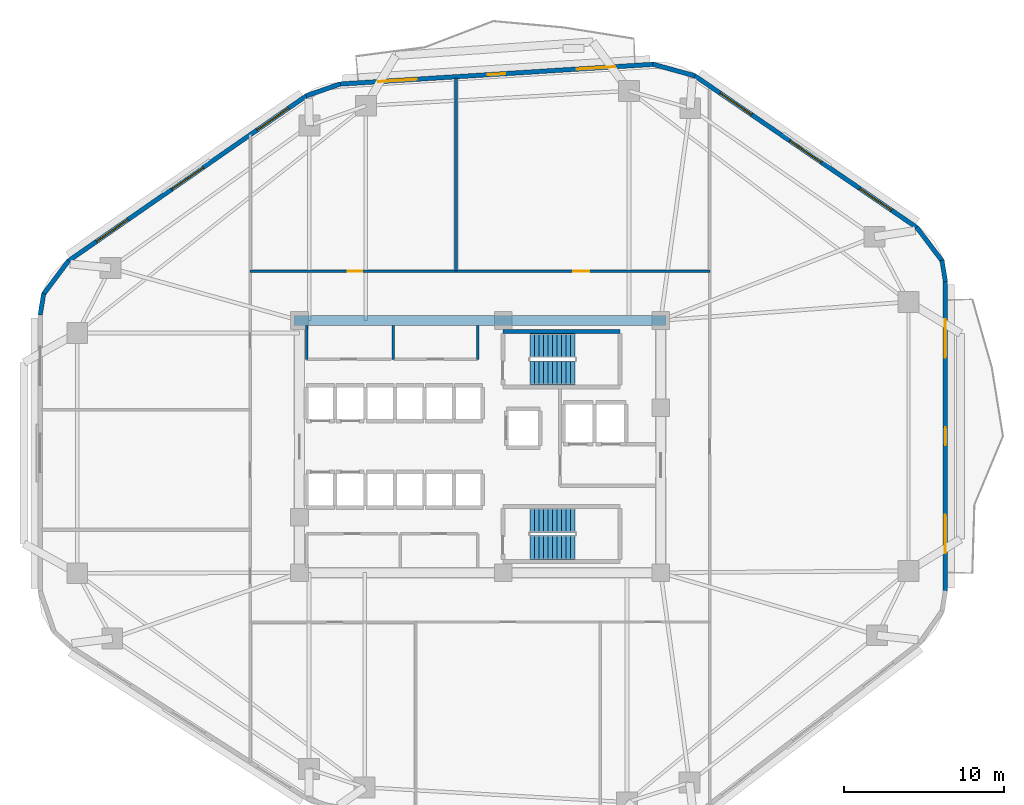
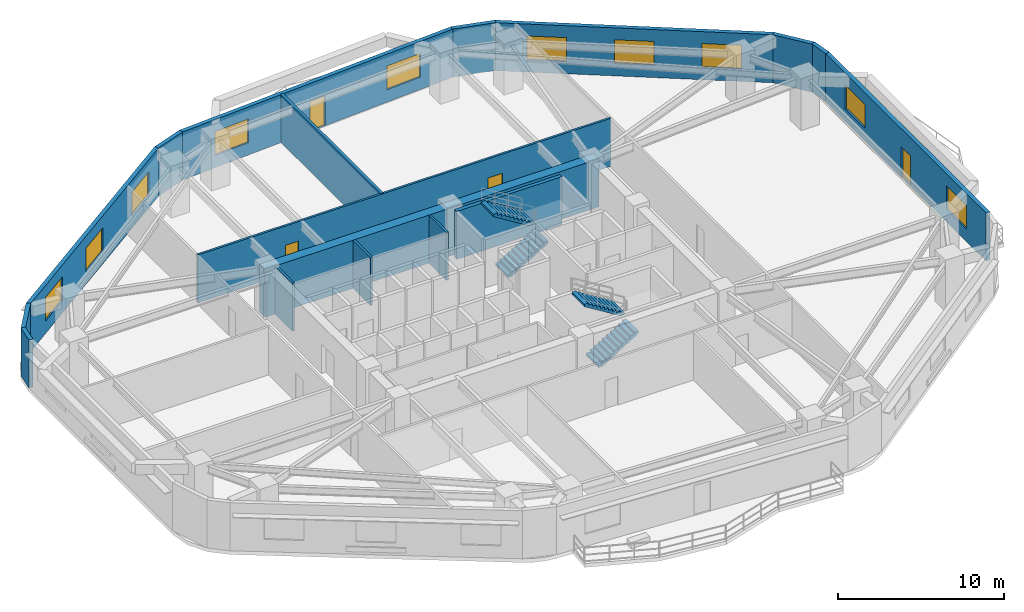
# One storey, part 5 of 8: 17 walls, 10 windows, 4 doors, 4 stair flights, 14 openings, 2 elements without a shape of their own.
"""IFC4 building model written with IfcOpenShell, lengths in metres."""

from ifc_helpers import new_model, si_unit, direction, frame, frame_2d, origin, place, context, subcontext, project, spatial, polyline, rectangle, outline, extrude, material, layer, layer_set, type_object, element, fill, aggregate, save


model = new_model("IFC4")

# Units and contexts
model_context = context("Model", 3, precision=1e-05, world=origin(), true_north=direction((0.0, 1.0)))
body_context = subcontext(model_context, "Body", "Model", "MODEL_VIEW")
ifc_project = project(units=[si_unit("LENGTHUNIT", "METRE"), si_unit("AREAUNIT", "SQUARE_METRE"), si_unit("VOLUMEUNIT", "CUBIC_METRE"), si_unit("PLANEANGLEUNIT", "RADIAN"), si_unit("MASSUNIT", "GRAM", prefix="KILO")], contexts=[model_context])

# Site, building, storey
site_placement = place(None, origin())
site = spatial("IfcSite", under=ifc_project, at=site_placement, CompositionType="ELEMENT")
building_placement = place(site_placement, origin())
building = spatial("IfcBuilding", under=site, at=building_placement, Name="Zulverin Broadcast Headquarters", CompositionType="ELEMENT")
storey_placement = place(building_placement, frame((0.0, 0.0, 44.0)))
storey = spatial("IfcBuildingStorey", under=building, at=storey_placement, Name="L10", CompositionType="ELEMENT", Elevation=44.0)

# Walls
ifc_material_1 = material(Name="Acoustic drywall steel stud", Category="steel")
ifc_layer_1 = layer(ifc_material_1, 0.199951171875, Name="Acoustic drywall steel stud", Category="steel")
ifc_layer_set_1 = layer_set([ifc_layer_1], Name="Acoustic drywall steel stud")
wall_type_1 = type_object("IfcWallType", Name="WL-ACOU-200", PredefinedType="PARTITIONING", material=ifc_layer_set_1)
wall_1_placement = place(storey_placement, frame((35.5, 36.14990234375, 0.0), z_axis=(0.0, 0.0, 1.0), x_axis=(0.0, 1.0, 0.0)))
element("IfcWall", 1, at=wall_1_placement, inside=storey, type_object=wall_type_1, Name="L10 Room Partition Wall RP-03", PredefinedType="PARTITIONING", context=body_context, shape_type="SweptSolid", body=[
    extrude(rectangle(XDim=12.0771484375, YDim=0.199951171875, at=frame_2d((6.03857421875, 0.0))), origin(), (0.0, 0.0, 1.0), 3.52490234375),
])
ifc_material_2 = material(Name="Concrete C60/75", Category="concrete")
ifc_layer_2 = layer(ifc_material_2, 0.64990234375, Name="Concrete C60/75", Category="concrete")
ifc_layer_set_2 = layer_set([ifc_layer_2], Name="Concrete C60/75")
wall_type_2 = type_object("IfcWallType", Name="WL-CORE-650", PredefinedType="SHEAR", material=ifc_layer_set_2)
wall_2_placement = place(storey_placement, frame((25.39990234375, 33.074951171875, 0.0), z_axis=(0.0, 0.0, 1.0), x_axis=(1.0, 0.0, 0.0)))
element("IfcWall", 2, at=wall_2_placement, inside=storey, type_object=wall_type_2, Name="L10 Core North Shear Wall", PredefinedType="SHEAR", context=body_context, shape_type="SweptSolid", body=[
    extrude(rectangle(XDim=23.2001953125, YDim=0.64990234375, at=frame_2d((11.60009765625, 0.0))), origin(), (0.0, 0.0, 1.0), 3.52490234375),
])

# Wall, openings, door, windows
ifc_material_3 = material(Name="Insulated pale-metal clad concrete spandrel C40/50", Category="concrete")
ifc_layer_3 = layer(ifc_material_3, 0.280029296875, Name="Insulated pale-metal clad concrete spandrel C40/50", Category="concrete")
ifc_layer_set_3 = layer_set([ifc_layer_3], Name="Insulated pale-metal clad concrete spandrel C40/50")
wall_type_3 = type_object("IfcWallType", Name="WL-EXT-280", PredefinedType="STANDARD", material=ifc_layer_set_3)
wall_3_placement = place(storey_placement, frame((66.06005859375, 16.183349609375, 0.0), z_axis=(0.0, 0.0, 1.0), x_axis=(0.0, 1.0, 0.0)))
wall_3 = element("IfcWall", 3, at=wall_3_placement, inside=storey, type_object=wall_type_3, Name="L10 Pale-Metal Clad Spandrel Wall 3", PredefinedType="STANDARD", context=body_context, shape_type="SweptSolid", body=[
    extrude(rectangle(XDim=19.3310546875, YDim=0.280029296875, at=frame_2d((9.66552734375, 0.0))), origin(), (0.0, 0.0, 1.0), 3.52490234375),
])
opening_1_placement = place(wall_3_placement, frame((9.115478515625, 0.0, 0.0)))
opening_1 = element("IfcOpeningElement", 4, at=opening_1_placement, cuts=wall_3, Name="Opening D-L10-TR3", PredefinedType="OPENING", context=body_context, shape_type="SweptSolid", body=[
    extrude(rectangle(XDim=1.10009765625, YDim=2.199951171875, at=frame_2d((0.550048828125, 1.10009765625))), frame((0.0, 0.14990234375, 0.0), z_axis=(0.0, -1.0, 0.0), x_axis=(1.0, 0.0, 0.0)), (0.0, 0.0, 1.0), 0.300048828125),
])
opening_2_placement = place(wall_3_placement, frame((2.355224609375, 0.0, 0.89990234375)))
opening_2 = element("IfcOpeningElement", 5, at=opening_2_placement, cuts=wall_3, Name="Opening W-L10-E31", PredefinedType="OPENING", context=body_context, shape_type="SweptSolid", body=[
    extrude(rectangle(XDim=2.39990234375, YDim=1.75, at=frame_2d((1.199951171875, 0.875))), frame((0.0, 0.14990234375, 0.0), z_axis=(0.0, -1.0, 0.0), x_axis=(1.0, 0.0, 0.0)), (0.0, 0.0, 1.0), 0.300048828125),
])
opening_3_placement = place(wall_3_placement, frame((14.575927734375, 0.0, 0.89990234375)))
opening_3 = element("IfcOpeningElement", 6, at=opening_3_placement, cuts=wall_3, Name="Opening W-L10-E32", PredefinedType="OPENING", context=body_context, shape_type="SweptSolid", body=[
    extrude(rectangle(XDim=2.39990234375, YDim=1.75, at=frame_2d((1.199951171875, 0.875))), frame((0.0, 0.14990234375, 0.0), z_axis=(0.0, -1.0, 0.0), x_axis=(1.0, 0.0, 0.0)), (0.0, 0.0, 1.0), 0.300048828125),
])
ifc_material_4 = material(Name="Thermally broken aluminium glazed", Category="aluminium")
door_type_1 = type_object("IfcDoorType", Name="DR-TERR-1100", OperationType="SINGLE_SWING_RIGHT", PredefinedType="DOOR", material=ifc_material_4)
door_1_placement = place(opening_1_placement, origin())
door_1 = element("IfcDoor", 7, at=door_1_placement, inside=storey, type_object=door_type_1, Name="L10 Planted Terrace Glazed Access Door 3", OperationType="SINGLE_SWING_RIGHT", OverallHeight=2.199951171875, OverallWidth=1.10009765625, PredefinedType="DOOR", context=body_context, shape_type="SweptSolid", body=[
    extrude(rectangle(XDim=1.10009765625, YDim=2.199951171875, at=frame_2d((0.550048828125, 1.10009765625))), frame((0.0, 0.02490234375, 0.0), z_axis=(0.0, -1.0, 0.0), x_axis=(1.0, 0.0, 0.0)), (0.0, 0.0, 1.0), 0.050048828125),
])
fill(opening_1, door_1)
ifc_material_5 = material(Name="Pale anodized aluminium frame with solar-control low-E double glazing", Category="aluminium")
window_type = type_object("IfcWindowType", Name="WIN-RIB-2400", PartitioningType="SINGLE_PANEL", PredefinedType="WINDOW", material=ifc_material_5)
window_1_placement = place(opening_2_placement, origin())
window_1 = element("IfcWindow", 8, at=window_1_placement, inside=storey, type_object=window_type, Name="L10 Ribbon Glazing Window 3 1", OverallHeight=1.75, OverallWidth=2.39990234375, PartitioningType="SINGLE_PANEL", PredefinedType="WINDOW", context=body_context, shape_type="SweptSolid", body=[
    extrude(rectangle(XDim=2.39990234375, YDim=1.75, at=frame_2d((1.199951171875, 0.875))), frame((0.0, 0.030029296875, 0.0), z_axis=(0.0, -1.0, 0.0), x_axis=(1.0, 0.0, 0.0)), (0.0, 0.0, 1.0), 0.06005859375),
])
fill(opening_2, window_1)
window_2_placement = place(opening_3_placement, origin())
window_2 = element("IfcWindow", 9, at=window_2_placement, inside=storey, type_object=window_type, Name="L10 Ribbon Glazing Window 3 2", OverallHeight=1.75, OverallWidth=2.39990234375, PartitioningType="SINGLE_PANEL", PredefinedType="WINDOW", context=body_context, shape_type="SweptSolid", body=[
    extrude(rectangle(XDim=2.39990234375, YDim=1.75, at=frame_2d((1.199951171875, 0.875))), frame((0.0, 0.030029296875, 0.0), z_axis=(0.0, -1.0, 0.0), x_axis=(1.0, 0.0, 0.0)), (0.0, 0.0, 1.0), 0.06005859375),
])
fill(opening_3, window_2)

# Wall, openings, windows
wall_4_placement = place(storey_placement, frame((64.289794921875, 38.8671875, 0.0), z_axis=(0.0, 0.0, 1.0), x_axis=(-0.825755550159, 0.564028165416, 0.0)))
wall_4 = element("IfcWall", 10, at=wall_4_placement, inside=storey, type_object=wall_type_3, Name="L10 Pale-Metal Clad Spandrel Wall 4", PredefinedType="STANDARD", context=body_context, shape_type="SweptSolid", body=[
    extrude(rectangle(XDim=16.848388671875, YDim=0.280029296875, at=frame_2d((8.42431640625, 0.0))), origin(), (0.0, 0.0, 1.0), 3.52490234375),
])
opening_4_placement = place(wall_4_placement, frame((1.94140625, 0.0, 0.89990234375)))
opening_4 = element("IfcOpeningElement", 11, at=opening_4_placement, cuts=wall_4, Name="Opening W-L10-E41", PredefinedType="OPENING", context=body_context, shape_type="SweptSolid", body=[
    extrude(rectangle(XDim=2.39990234375, YDim=1.75, at=frame_2d((1.199951171875, 0.875))), frame((0.0, 0.14990234375, 0.0), z_axis=(0.0, -1.0, 0.0), x_axis=(1.0, 0.0, 0.0)), (0.0, 0.0, 1.0), 0.300048828125),
])
opening_5_placement = place(wall_4_placement, frame((7.22412109375, 0.0, 0.89990234375)))
opening_5 = element("IfcOpeningElement", 12, at=opening_5_placement, cuts=wall_4, Name="Opening W-L10-E42", PredefinedType="OPENING", context=body_context, shape_type="SweptSolid", body=[
    extrude(rectangle(XDim=2.39990234375, YDim=1.75, at=frame_2d((1.199951171875, 0.875))), frame((0.0, 0.14990234375, 0.0), z_axis=(0.0, -1.0, 0.0), x_axis=(1.0, 0.0, 0.0)), (0.0, 0.0, 1.0), 0.300048828125),
])
opening_6_placement = place(wall_4_placement, frame((12.5068359375, 0.0, 0.89990234375)))
opening_6 = element("IfcOpeningElement", 13, at=opening_6_placement, cuts=wall_4, Name="Opening W-L10-E43", PredefinedType="OPENING", context=body_context, shape_type="SweptSolid", body=[
    extrude(rectangle(XDim=2.39990234375, YDim=1.75, at=frame_2d((1.199951171875, 0.875))), frame((0.0, 0.14990234375, 0.0), z_axis=(0.0, -1.0, 0.0), x_axis=(1.0, 0.0, 0.0)), (0.0, 0.0, 1.0), 0.300048828125),
])
window_3_placement = place(opening_4_placement, origin())
window_3 = element("IfcWindow", 14, at=window_3_placement, inside=storey, type_object=window_type, Name="L10 Ribbon Glazing Window 4 1", OverallHeight=1.75, OverallWidth=2.39990234375, PartitioningType="SINGLE_PANEL", PredefinedType="WINDOW", context=body_context, shape_type="SweptSolid", body=[
    extrude(rectangle(XDim=2.39990234375, YDim=1.75, at=frame_2d((1.199951171875, 0.875))), frame((0.0, 0.030029296875, 0.0), z_axis=(0.0, -1.0, 0.0), x_axis=(1.0, 0.0, 0.0)), (0.0, 0.0, 1.0), 0.06005859375),
])
fill(opening_4, window_3)
window_4_placement = place(opening_5_placement, origin())
window_4 = element("IfcWindow", 15, at=window_4_placement, inside=storey, type_object=window_type, Name="L10 Ribbon Glazing Window 4 2", OverallHeight=1.75, OverallWidth=2.39990234375, PartitioningType="SINGLE_PANEL", PredefinedType="WINDOW", context=body_context, shape_type="SweptSolid", body=[
    extrude(rectangle(XDim=2.39990234375, YDim=1.75, at=frame_2d((1.199951171875, 0.875))), frame((0.0, 0.030029296875, 0.0), z_axis=(0.0, -1.0, 0.0), x_axis=(1.0, 0.0, 0.0)), (0.0, 0.0, 1.0), 0.06005859375),
])
fill(opening_5, window_4)
window_5_placement = place(opening_6_placement, origin())
window_5 = element("IfcWindow", 16, at=window_5_placement, inside=storey, type_object=window_type, Name="L10 Ribbon Glazing Window 4 3", OverallHeight=1.75, OverallWidth=2.39990234375, PartitioningType="SINGLE_PANEL", PredefinedType="WINDOW", context=body_context, shape_type="SweptSolid", body=[
    extrude(rectangle(XDim=2.39990234375, YDim=1.75, at=frame_2d((1.199951171875, 0.875))), frame((0.0, 0.030029296875, 0.0), z_axis=(0.0, -1.0, 0.0), x_axis=(1.0, 0.0, 0.0)), (0.0, 0.0, 1.0), 0.06005859375),
])
fill(opening_6, window_5)

# Wall, openings, door, windows
wall_5_placement = place(storey_placement, frame((47.831787109375, 49.0693359375, 0.0), z_axis=(0.0, 0.0, 1.0), x_axis=(-0.998017725054, -0.062933460723, 0.0)))
wall_5 = element("IfcWall", 17, at=wall_5_placement, inside=storey, type_object=wall_type_3, Name="L10 Pale-Metal Clad Spandrel Wall 5", PredefinedType="STANDARD", context=body_context, shape_type="SweptSolid", body=[
    extrude(rectangle(XDim=19.62939453125, YDim=0.280029296875, at=frame_2d((9.814697265625, 0.0))), origin(), (0.0, 0.0, 1.0), 3.52490234375),
])
opening_7_placement = place(wall_5_placement, frame((9.264892578125, 0.0, 0.0)))
opening_7 = element("IfcOpeningElement", 18, at=opening_7_placement, cuts=wall_5, Name="Opening D-L10-TR5", PredefinedType="OPENING", context=body_context, shape_type="SweptSolid", body=[
    extrude(rectangle(XDim=1.10009765625, YDim=2.199951171875, at=frame_2d((0.550048828125, 1.10009765625))), frame((0.0, 0.14990234375, 0.0), z_axis=(0.0, -1.0, 0.0), x_axis=(1.0, 0.0, 0.0)), (0.0, 0.0, 1.0), 0.300048828125),
])
opening_8_placement = place(wall_5_placement, frame((2.40478515625, 0.0, 0.89990234375)))
opening_8 = element("IfcOpeningElement", 19, at=opening_8_placement, cuts=wall_5, Name="Opening W-L10-E51", PredefinedType="OPENING", context=body_context, shape_type="SweptSolid", body=[
    extrude(rectangle(XDim=2.39990234375, YDim=1.75, at=frame_2d((1.199951171875, 0.875))), frame((0.0, 0.14990234375, 0.0), z_axis=(0.0, -1.0, 0.0), x_axis=(1.0, 0.0, 0.0)), (0.0, 0.0, 1.0), 0.300048828125),
])
opening_9_placement = place(wall_5_placement, frame((14.82470703125, 0.0, 0.89990234375)))
opening_9 = element("IfcOpeningElement", 20, at=opening_9_placement, cuts=wall_5, Name="Opening W-L10-E52", PredefinedType="OPENING", context=body_context, shape_type="SweptSolid", body=[
    extrude(rectangle(XDim=2.39990234375, YDim=1.75, at=frame_2d((1.199951171875, 0.875))), frame((0.0, 0.14990234375, 0.0), z_axis=(0.0, -1.0, 0.0), x_axis=(1.0, 0.0, 0.0)), (0.0, 0.0, 1.0), 0.300048828125),
])
door_2_placement = place(opening_7_placement, origin())
door_2 = element("IfcDoor", 21, at=door_2_placement, inside=storey, type_object=door_type_1, Name="L10 Planted Terrace Glazed Access Door 5", OperationType="SINGLE_SWING_RIGHT", OverallHeight=2.199951171875, OverallWidth=1.10009765625, PredefinedType="DOOR", context=body_context, shape_type="SweptSolid", body=[
    extrude(rectangle(XDim=1.10009765625, YDim=2.199951171875, at=frame_2d((0.550048828125, 1.10009765625))), frame((0.0, 0.02490234375, 0.0), z_axis=(0.0, -1.0, 0.0), x_axis=(1.0, 0.0, 0.0)), (0.0, 0.0, 1.0), 0.050048828125),
])
fill(opening_7, door_2)
window_6_placement = place(opening_8_placement, origin())
window_6 = element("IfcWindow", 22, at=window_6_placement, inside=storey, type_object=window_type, Name="L10 Ribbon Glazing Window 5 1", OverallHeight=1.75, OverallWidth=2.39990234375, PartitioningType="SINGLE_PANEL", PredefinedType="WINDOW", context=body_context, shape_type="SweptSolid", body=[
    extrude(rectangle(XDim=2.39990234375, YDim=1.75, at=frame_2d((1.199951171875, 0.875))), frame((0.0, 0.030029296875, 0.0), z_axis=(0.0, -1.0, 0.0), x_axis=(1.0, 0.0, 0.0)), (0.0, 0.0, 1.0), 0.06005859375),
])
fill(opening_8, window_6)
window_7_placement = place(opening_9_placement, origin())
window_7 = element("IfcWindow", 23, at=window_7_placement, inside=storey, type_object=window_type, Name="L10 Ribbon Glazing Window 5 2", OverallHeight=1.75, OverallWidth=2.39990234375, PartitioningType="SINGLE_PANEL", PredefinedType="WINDOW", context=body_context, shape_type="SweptSolid", body=[
    extrude(rectangle(XDim=2.39990234375, YDim=1.75, at=frame_2d((1.199951171875, 0.875))), frame((0.0, 0.030029296875, 0.0), z_axis=(0.0, -1.0, 0.0), x_axis=(1.0, 0.0, 0.0)), (0.0, 0.0, 1.0), 0.06005859375),
])
fill(opening_9, window_7)

# Wall, openings, windows
wall_6_placement = place(storey_placement, frame((26.181884765625, 47.11767578125, 0.0), z_axis=(0.0, 0.0, 1.0), x_axis=(-0.821547956627, -0.570139417127, 0.0)))
wall_6 = element("IfcWall", 24, at=wall_6_placement, inside=storey, type_object=wall_type_3, Name="L10 Pale-Metal Clad Spandrel Wall 6", PredefinedType="STANDARD", context=body_context, shape_type="SweptSolid", body=[
    extrude(rectangle(XDim=18.13232421875, YDim=0.280029296875, at=frame_2d((9.066162109375, 0.0))), origin(), (0.0, 0.0, 1.0), 3.52490234375),
])
opening_10_placement = place(wall_6_placement, frame((1.37548828125, 0.0, 0.89990234375)))
opening_10 = element("IfcOpeningElement", 25, at=opening_10_placement, cuts=wall_6, Name="Opening W-L10-E61", PredefinedType="OPENING", context=body_context, shape_type="SweptSolid", body=[
    extrude(rectangle(XDim=2.39990234375, YDim=1.75, at=frame_2d((1.199951171875, 0.875))), frame((0.0, 0.14990234375, 0.0), z_axis=(0.0, -1.0, 0.0), x_axis=(1.0, 0.0, 0.0)), (0.0, 0.0, 1.0), 0.300048828125),
])
opening_11_placement = place(wall_6_placement, frame((7.8662109375, 0.0, 0.89990234375)))
opening_11 = element("IfcOpeningElement", 26, at=opening_11_placement, cuts=wall_6, Name="Opening W-L10-E62", PredefinedType="OPENING", context=body_context, shape_type="SweptSolid", body=[
    extrude(rectangle(XDim=2.39990234375, YDim=1.75, at=frame_2d((1.199951171875, 0.875))), frame((0.0, 0.14990234375, 0.0), z_axis=(0.0, -1.0, 0.0), x_axis=(1.0, 0.0, 0.0)), (0.0, 0.0, 1.0), 0.300048828125),
])
opening_12_placement = place(wall_6_placement, frame((13.576904296875, 0.0, 0.89990234375)))
opening_12 = element("IfcOpeningElement", 27, at=opening_12_placement, cuts=wall_6, Name="Opening W-L10-E63", PredefinedType="OPENING", context=body_context, shape_type="SweptSolid", body=[
    extrude(rectangle(XDim=2.39990234375, YDim=1.75, at=frame_2d((1.199951171875, 0.875))), frame((0.0, 0.14990234375, 0.0), z_axis=(0.0, -1.0, 0.0), x_axis=(1.0, 0.0, 0.0)), (0.0, 0.0, 1.0), 0.300048828125),
])
window_8_placement = place(opening_10_placement, origin())
window_8 = element("IfcWindow", 28, at=window_8_placement, inside=storey, type_object=window_type, Name="L10 Ribbon Glazing Window 6 1", OverallHeight=1.75, OverallWidth=2.39990234375, PartitioningType="SINGLE_PANEL", PredefinedType="WINDOW", context=body_context, shape_type="SweptSolid", body=[
    extrude(rectangle(XDim=2.39990234375, YDim=1.75, at=frame_2d((1.199951171875, 0.875))), frame((0.0, 0.030029296875, 0.0), z_axis=(0.0, -1.0, 0.0), x_axis=(1.0, 0.0, 0.0)), (0.0, 0.0, 1.0), 0.06005859375),
])
fill(opening_10, window_8)
window_9_placement = place(opening_11_placement, origin())
window_9 = element("IfcWindow", 29, at=window_9_placement, inside=storey, type_object=window_type, Name="L10 Ribbon Glazing Window 6 2", OverallHeight=1.75, OverallWidth=2.39990234375, PartitioningType="SINGLE_PANEL", PredefinedType="WINDOW", context=body_context, shape_type="SweptSolid", body=[
    extrude(rectangle(XDim=2.39990234375, YDim=1.75, at=frame_2d((1.199951171875, 0.875))), frame((0.0, 0.030029296875, 0.0), z_axis=(0.0, -1.0, 0.0), x_axis=(1.0, 0.0, 0.0)), (0.0, 0.0, 1.0), 0.06005859375),
])
fill(opening_11, window_9)
window_10_placement = place(opening_12_placement, origin())
window_10 = element("IfcWindow", 30, at=window_10_placement, inside=storey, type_object=window_type, Name="L10 Ribbon Glazing Window 6 3", OverallHeight=1.75, OverallWidth=2.39990234375, PartitioningType="SINGLE_PANEL", PredefinedType="WINDOW", context=body_context, shape_type="SweptSolid", body=[
    extrude(rectangle(XDim=2.39990234375, YDim=1.75, at=frame_2d((1.199951171875, 0.875))), frame((0.0, 0.030029296875, 0.0), z_axis=(0.0, -1.0, 0.0), x_axis=(1.0, 0.0, 0.0)), (0.0, 0.0, 1.0), 0.06005859375),
])
fill(opening_12, window_10)

# Walls
wall_7_placement = place(storey_placement, frame((66.061767578125, 35.491943359375, 0.0), z_axis=(0.0, 0.0, 1.0), x_axis=(-0.161182073582, 0.986924687682, 0.0)))
element("IfcWall", 31, at=wall_7_placement, inside=storey, type_object=wall_type_3, Name="L10 Wind-Shaped Corner Spandrel Wall 3-1", PredefinedType="STANDARD", context=body_context, shape_type="SweptSolid", body=[
    extrude(rectangle(XDim=1.354248046875, YDim=0.280029296875, at=frame_2d((0.67724609375, 0.0))), origin(), (0.0, 0.0, 1.0), 3.52490234375),
])
wall_8_placement = place(storey_placement, frame((65.8701171875, 36.7666015625, 0.0), z_axis=(0.0, 0.0, 1.0), x_axis=(-0.603370463754, 0.797461023166, 0.0)))
element("IfcWall", 32, at=wall_8_placement, inside=storey, type_object=wall_type_3, Name="L10 Wind-Shaped Corner Spandrel Wall 3-2", PredefinedType="STANDARD", context=body_context, shape_type="SweptSolid", body=[
    extrude(rectangle(XDim=2.6728515625, YDim=0.280029296875, at=frame_2d((1.33642578125, 0.0))), origin(), (0.0, 0.0, 1.0), 3.52490234375),
])
wall_9_placement = place(storey_placement, frame((50.419189453125, 48.3505859375, 0.0), z_axis=(0.0, 0.0, 1.0), x_axis=(-0.964254516967, 0.264977784933, 0.0)))
element("IfcWall", 33, at=wall_9_placement, inside=storey, type_object=wall_type_3, Name="L10 Wind-Shaped Corner Spandrel Wall 4-1", PredefinedType="STANDARD", context=body_context, shape_type="SweptSolid", body=[
    extrude(rectangle(XDim=2.73095703125, YDim=0.280029296875, at=frame_2d((1.365478515625, 0.0))), origin(), (0.0, 0.0, 1.0), 3.52490234375),
])
wall_10_placement = place(storey_placement, frame((28.2783203125, 47.841552734375, 0.0), z_axis=(0.0, 0.0, 1.0), x_axis=(-0.9444559001, -0.328638179106, 0.0)))
element("IfcWall", 34, at=wall_10_placement, inside=storey, type_object=wall_type_3, Name="L10 Wind-Shaped Corner Spandrel Wall 5-1", PredefinedType="STANDARD", context=body_context, shape_type="SweptSolid", body=[
    extrude(rectangle(XDim=2.25537109375, YDim=0.280029296875, at=frame_2d((1.127685546875, 0.0))), origin(), (0.0, 0.0, 1.0), 3.52490234375),
])
wall_11_placement = place(storey_placement, frame((11.317626953125, 36.81103515625, 0.0), z_axis=(0.0, 0.0, 1.0), x_axis=(-0.599455152629, -0.800408345775, 0.0)))
element("IfcWall", 35, at=wall_11_placement, inside=storey, type_object=wall_type_3, Name="L10 Wind-Shaped Corner Spandrel Wall 6-1", PredefinedType="STANDARD", context=body_context, shape_type="SweptSolid", body=[
    extrude(rectangle(XDim=2.6533203125, YDim=0.280029296875, at=frame_2d((1.32666015625, 0.0))), origin(), (0.0, 0.0, 1.0), 3.52490234375),
])
wall_12_placement = place(storey_placement, frame((9.753173828125, 34.748779296875, 0.0), z_axis=(0.0, 0.0, 1.0), x_axis=(-0.160037671962, -0.987110907423, 0.0)))
element("IfcWall", 36, at=wall_12_placement, inside=storey, type_object=wall_type_3, Name="L10 Wind-Shaped Corner Spandrel Wall 6-2", PredefinedType="STANDARD", context=body_context, shape_type="SweptSolid", body=[
    extrude(rectangle(XDim=1.343994140625, YDim=0.280029296875, at=frame_2d((0.671875, 0.0))), origin(), (0.0, 0.0, 1.0), 3.52490234375),
])
ifc_material_6 = material(Name="Fire-rated gypsum stud partition", Category="gypsum")
ifc_layer_4 = layer(ifc_material_6, 0.14990234375, Name="Fire-rated gypsum stud partition", Category="gypsum")
ifc_layer_set_4 = layer_set([ifc_layer_4], Name="Fire-rated gypsum stud partition")
wall_type_4 = type_object("IfcWallType", Name="WL-PART-150", PredefinedType="PARTITIONING", material=ifc_layer_set_4)
for number, where, z_axis, x_axis, name in (
    (37, (26.169921875, 30.64990234375, 0.0), (0.0, 0.0, 1.0), (0.0, 1.0, 0.0), "L10 Core Male WC West Wall"),
    (38, (31.590087890625, 30.64990234375, 0.0), (0.0, 0.0, 1.0), (0.0, 1.0, 0.0), "L10 Core Accessible WC West Wall"),
    (39, (36.85009765625, 30.64990234375, 0.0), (0.0, 0.0, 1.0), (0.0, 1.0, 0.0), "L10 Core Accessible WC East Wall"),
):
    element("IfcWall", number, at=place(storey_placement, frame(where, z_axis=z_axis, x_axis=x_axis)), inside=storey, type_object=wall_type_4, Name=name, PredefinedType="PARTITIONING", context=body_context, shape_type="SweptSolid", body=[
        extrude(rectangle(XDim=2.10009765625, YDim=0.14990234375, at=frame_2d((1.050048828125, 0.0))), origin(), (0.0, 0.0, 1.0), 3.52490234375),
    ])

# Wall, openings, doors
wall_13_placement = place(storey_placement, frame((22.64990234375, 36.14990234375, 0.0), z_axis=(0.0, 0.0, 1.0), x_axis=(1.0, 0.0, 0.0)))
wall_13 = element("IfcWall", 40, at=wall_13_placement, inside=storey, type_object=wall_type_4, Name="L10 Gallery Partition Wall CG-09", PredefinedType="PARTITIONING", context=body_context, shape_type="SweptSolid", body=[
    extrude(rectangle(XDim=28.7001953125, YDim=0.14990234375, at=frame_2d((14.35009765625, 0.0))), origin(), (0.0, 0.0, 1.0), 3.52490234375),
])
opening_13_placement = place(wall_13_placement, frame((6.094970703125, 0.0, 0.0)))
opening_13 = element("IfcOpeningElement", 41, at=opening_13_placement, cuts=wall_13, Name="Opening D-L10-01", PredefinedType="OPENING", context=body_context, shape_type="SweptSolid", body=[
    extrude(rectangle(XDim=0.89990234375, YDim=2.10009765625, at=frame_2d((0.449951171875, 1.050048828125))), frame((0.0, 0.0849609375, 0.0), z_axis=(0.0, -1.0, 0.0), x_axis=(1.0, 0.0, 0.0)), (0.0, 0.0, 1.0), 0.169921875),
])
opening_14_placement = place(wall_13_placement, frame((20.155029296875, 0.0, 0.0)))
opening_14 = element("IfcOpeningElement", 42, at=opening_14_placement, cuts=wall_13, Name="Opening D-L10-02", PredefinedType="OPENING", context=body_context, shape_type="SweptSolid", body=[
    extrude(rectangle(XDim=1.0, YDim=2.1201171875, at=frame_2d((0.5, 1.06005859375))), frame((0.0, 0.0849609375, 0.0), z_axis=(0.0, -1.0, 0.0), x_axis=(1.0, 0.0, 0.0)), (0.0, 0.0, 1.0), 0.169921875),
])
ifc_material_7 = material(Name="Hardwood veneer acoustic leaf", Category="wood")
door_type_2 = type_object("IfcDoorType", Name="DR-OFF-1000", OperationType="SINGLE_SWING_LEFT", PredefinedType="DOOR", material=ifc_material_7)
door_3_placement = place(opening_14_placement, origin())
door_3 = element("IfcDoor", 43, at=door_3_placement, inside=storey, type_object=door_type_2, Name="L10 Subtitling Office Door", OperationType="SINGLE_SWING_RIGHT", OverallHeight=2.1201171875, OverallWidth=1.0, PredefinedType="DOOR", context=body_context, shape_type="SweptSolid", body=[
    extrude(rectangle(XDim=1.0, YDim=2.1201171875, at=frame_2d((0.5, 1.06005859375))), frame((0.0, 0.02490234375, 0.0), z_axis=(0.0, -1.0, 0.0), x_axis=(1.0, 0.0, 0.0)), (0.0, 0.0, 1.0), 0.050048828125),
])
fill(opening_14, door_3)
ifc_material_8 = material(Name="Fire-rated hardwood veneer timber leaf", Category="wood")
door_type_3 = type_object("IfcDoorType", Name="DR-ROOM-900", OperationType="SINGLE_SWING_RIGHT", PredefinedType="DOOR", material=ifc_material_8)
door_4_placement = place(opening_13_placement, origin())
door_4 = element("IfcDoor", 44, at=door_4_placement, inside=storey, type_object=door_type_3, Name="L10 Open Plan Newsroom Door", OperationType="SINGLE_SWING_LEFT", OverallHeight=2.10009765625, OverallWidth=0.89990234375, PredefinedType="DOOR", context=body_context, shape_type="SweptSolid", body=[
    extrude(rectangle(XDim=0.89990234375, YDim=2.10009765625, at=frame_2d((0.449951171875, 1.050048828125))), frame((0.0, 0.02490234375, 0.0), z_axis=(0.0, -1.0, 0.0), x_axis=(1.0, 0.0, 0.0)), (0.0, 0.0, 1.0), 0.050048828125),
])
fill(opening_13, door_4)

# Wall
ifc_material_9 = material(Name="Concrete C50/60", Category="concrete")
ifc_layer_5 = layer(ifc_material_9, 0.25, Name="Concrete C50/60", Category="concrete")
ifc_layer_set_5 = layer_set([ifc_layer_5], Name="Concrete C50/60")
wall_type_5 = type_object("IfcWallType", Name="WL-SHAFT-250", PredefinedType="SHEAR", material=ifc_layer_set_5)
wall_14_placement = place(storey_placement, frame((38.425048828125, 32.375, 0.0), z_axis=(0.0, 0.0, 1.0), x_axis=(1.0, 0.0, 0.0)))
element("IfcWall", 45, at=wall_14_placement, inside=storey, type_object=wall_type_5, Name="L10 ST-1 Enclosure Wall N", PredefinedType="SHEAR", context=body_context, shape_type="SweptSolid", body=[
    extrude(rectangle(XDim=7.300048828125, YDim=0.25, at=frame_2d((3.64990234375, 0.0))), origin(), (0.0, 0.0, 1.0), 3.52490234375),
])

# Stair, stair flights
ifc_material_10 = material(Name="Concrete C40/50", Category="concrete")
stair_type = type_object("IfcStairType", Name="ST-CORE-1500", PredefinedType="HALF_TURN_STAIR", material=ifc_material_10)
stair_1_placement = place(storey_placement, origin())
stair_1 = element("IfcStair", 46, at=stair_1_placement, inside=storey, type_object=stair_type, Name="L10 Core Exit Stair ST-1", PredefinedType="HALF_TURN_STAIR")
stair_flight_type = type_object("IfcStairFlightType", Name="SF-CORE-1500", PredefinedType="STRAIGHT", material=ifc_material_10)
stair_flight_1_placement = place(storey_placement, frame((40.1298828125, 29.800048828125, 0.0), z_axis=(0.0, 0.0, 1.0), x_axis=(1.0, 0.0, 0.0)))
stair_flight_1 = element("IfcStairFlight", 47, at=stair_flight_1_placement, type_object=stair_flight_type, Name="ST-1 flight 1", NumberOfRisers=11, NumberOfTreads=10, PredefinedType="STRAIGHT", RiserHeight=0.172727273, TreadLength=0.28, context=body_context, shape_type="SweptSolid", body=[
    extrude(outline(polyline([(0.0, 0.0), (0.0, 0.172607421875), (0.280029296875, 0.172607421875), (0.280029296875, 0.345458984375), (0.56005859375, 0.345458984375), (0.56005859375, 0.51806640625), (0.840087890625, 0.51806640625), (0.840087890625, 0.69091796875), (1.1201171875, 0.69091796875), (1.1201171875, 0.863525390625), (1.39990234375, 0.863525390625), (1.39990234375, 1.036376953125), (1.679931640625, 1.036376953125), (1.679931640625, 1.208984375), (1.9599609375, 1.208984375), (1.9599609375, 1.3818359375), (2.239990234375, 1.3818359375), (2.239990234375, 1.554443359375), (2.52001953125, 1.554443359375), (2.52001953125, 1.727294921875), (2.800048828125, 1.727294921875), (2.800048828125, 1.89990234375), (2.800048828125, 1.551025390625), (0.285400390625, 0.0), (0.0, 0.0)])), frame((0.0, 0.75, 0.0), z_axis=(0.0, -1.0, 0.0), x_axis=(1.0, 0.0, 0.0)), (0.0, 0.0, 1.0), 1.5),
])
stair_flight_2_placement = place(storey_placement, frame((42.929931640625, 31.5, 1.89990234375), z_axis=(0.0, 0.0, 1.0), x_axis=(-1.0, 0.0, 0.0)))
stair_flight_2 = element("IfcStairFlight", 48, at=stair_flight_2_placement, type_object=stair_flight_type, Name="ST-1 flight 2", NumberOfRisers=11, NumberOfTreads=10, PredefinedType="STRAIGHT", RiserHeight=0.172727273, TreadLength=0.28, context=body_context, shape_type="SweptSolid", body=[
    extrude(outline(polyline([(0.0, 0.0), (0.0, 0.172607421875), (0.280029296875, 0.172607421875), (0.280029296875, 0.345458984375), (0.56005859375, 0.345458984375), (0.56005859375, 0.51806640625), (0.840087890625, 0.51806640625), (0.840087890625, 0.69091796875), (1.1201171875, 0.69091796875), (1.1201171875, 0.863525390625), (1.39990234375, 0.863525390625), (1.39990234375, 1.036376953125), (1.679931640625, 1.036376953125), (1.679931640625, 1.208984375), (1.9599609375, 1.208984375), (1.9599609375, 1.3818359375), (2.239990234375, 1.3818359375), (2.239990234375, 1.554443359375), (2.52001953125, 1.554443359375), (2.52001953125, 1.727294921875), (2.800048828125, 1.727294921875), (2.800048828125, 1.89990234375), (2.800048828125, 1.551025390625), (0.285400390625, 0.0), (0.0, 0.0)])), frame((0.0, 0.75, 0.0), z_axis=(0.0, -1.0, 0.0), x_axis=(1.0, 0.0, 0.0)), (0.0, 0.0, 1.0), 1.5),
])
aggregate(stair_1, [stair_flight_1, stair_flight_2])

stair_2_placement = place(storey_placement, origin())
stair_2 = element("IfcStair", 49, at=stair_2_placement, inside=storey, type_object=stair_type, Name="L10 Core Exit Stair ST-2", PredefinedType="HALF_TURN_STAIR")
stair_flight_3_placement = place(storey_placement, frame((40.1298828125, 18.89990234375, 0.0), z_axis=(0.0, 0.0, 1.0), x_axis=(1.0, 0.0, 0.0)))
stair_flight_3 = element("IfcStairFlight", 50, at=stair_flight_3_placement, type_object=stair_flight_type, Name="ST-2 flight 1", NumberOfRisers=11, NumberOfTreads=10, PredefinedType="STRAIGHT", RiserHeight=0.172727273, TreadLength=0.28, context=body_context, shape_type="SweptSolid", body=[
    extrude(outline(polyline([(0.0, 0.0), (0.0, 0.172607421875), (0.280029296875, 0.172607421875), (0.280029296875, 0.345458984375), (0.56005859375, 0.345458984375), (0.56005859375, 0.51806640625), (0.840087890625, 0.51806640625), (0.840087890625, 0.69091796875), (1.1201171875, 0.69091796875), (1.1201171875, 0.863525390625), (1.39990234375, 0.863525390625), (1.39990234375, 1.036376953125), (1.679931640625, 1.036376953125), (1.679931640625, 1.208984375), (1.9599609375, 1.208984375), (1.9599609375, 1.3818359375), (2.239990234375, 1.3818359375), (2.239990234375, 1.554443359375), (2.52001953125, 1.554443359375), (2.52001953125, 1.727294921875), (2.800048828125, 1.727294921875), (2.800048828125, 1.89990234375), (2.800048828125, 1.551025390625), (0.285400390625, 0.0), (0.0, 0.0)])), frame((0.0, 0.75, 0.0), z_axis=(0.0, -1.0, 0.0), x_axis=(1.0, 0.0, 0.0)), (0.0, 0.0, 1.0), 1.5),
])
stair_flight_4_placement = place(storey_placement, frame((42.929931640625, 20.60009765625, 1.89990234375), z_axis=(0.0, 0.0, 1.0), x_axis=(-1.0, 0.0, 0.0)))
stair_flight_4 = element("IfcStairFlight", 51, at=stair_flight_4_placement, type_object=stair_flight_type, Name="ST-2 flight 2", NumberOfRisers=11, NumberOfTreads=10, PredefinedType="STRAIGHT", RiserHeight=0.172727273, TreadLength=0.28, context=body_context, shape_type="SweptSolid", body=[
    extrude(outline(polyline([(0.0, 0.0), (0.0, 0.172607421875), (0.280029296875, 0.172607421875), (0.280029296875, 0.345458984375), (0.56005859375, 0.345458984375), (0.56005859375, 0.51806640625), (0.840087890625, 0.51806640625), (0.840087890625, 0.69091796875), (1.1201171875, 0.69091796875), (1.1201171875, 0.863525390625), (1.39990234375, 0.863525390625), (1.39990234375, 1.036376953125), (1.679931640625, 1.036376953125), (1.679931640625, 1.208984375), (1.9599609375, 1.208984375), (1.9599609375, 1.3818359375), (2.239990234375, 1.3818359375), (2.239990234375, 1.554443359375), (2.52001953125, 1.554443359375), (2.52001953125, 1.727294921875), (2.800048828125, 1.727294921875), (2.800048828125, 1.89990234375), (2.800048828125, 1.551025390625), (0.285400390625, 0.0), (0.0, 0.0)])), frame((0.0, 0.75, 0.0), z_axis=(0.0, -1.0, 0.0), x_axis=(1.0, 0.0, 0.0)), (0.0, 0.0, 1.0), 1.5),
])
aggregate(stair_2, [stair_flight_3, stair_flight_4])

save(model, "model.ifc")
